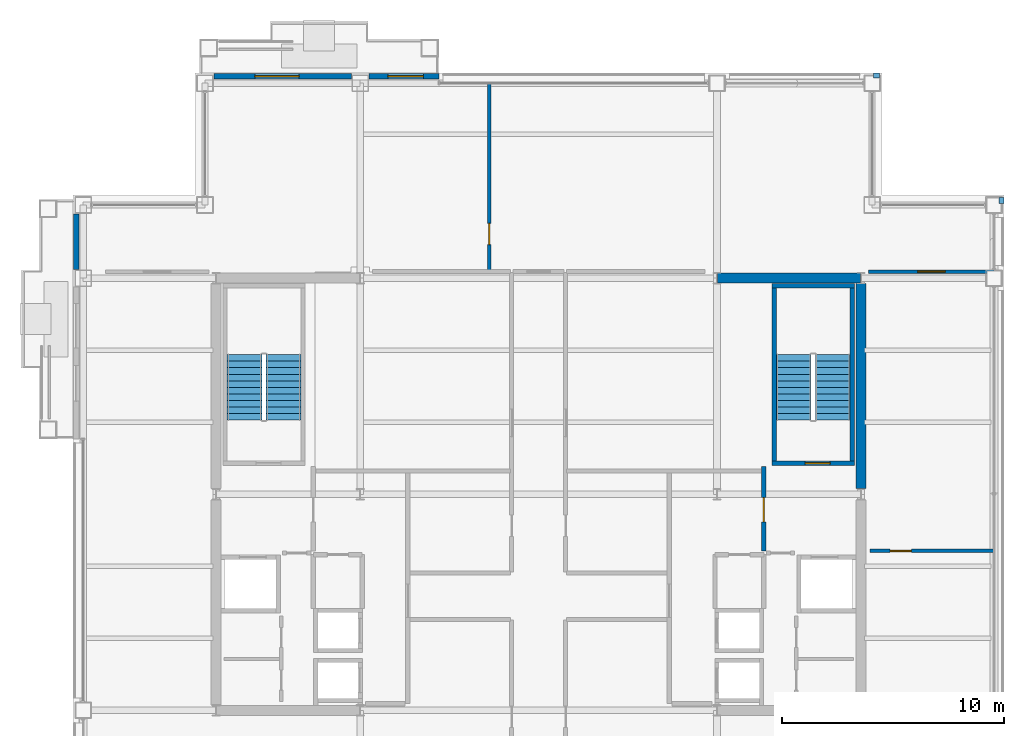
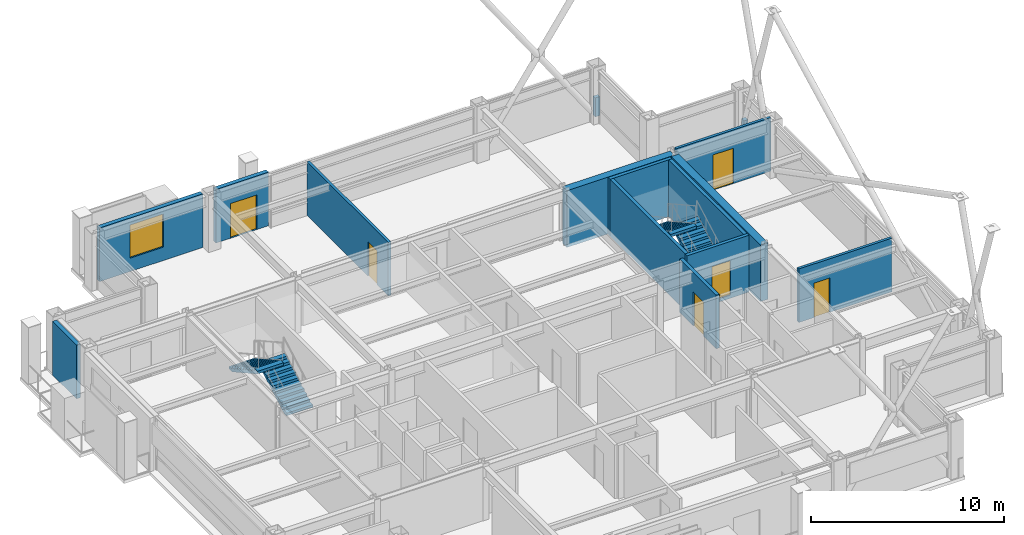
# One storey, part 29 of 32: 15 walls, 6 doors, 4 stair flights, 1 window, 7 openings, 2 elements without a shape of their own.
"""IFC4 building model written with IfcOpenShell, lengths in metres."""

from ifc_helpers import new_model, si_unit, direction, frame, frame_2d, origin, place, context, subcontext, project, spatial, polyline, rectangle, outline, extrude, material, layer, layer_set, type_object, element, fill, aggregate, save


model = new_model("IFC4")

# Units and contexts
model_context = context("Model", 3, precision=1e-05, world=origin(), true_north=direction((0.0, 1.0)))
body_context = subcontext(model_context, "Body", "Model", "MODEL_VIEW")
ifc_project = project(units=[si_unit("LENGTHUNIT", "METRE"), si_unit("AREAUNIT", "SQUARE_METRE"), si_unit("VOLUMEUNIT", "CUBIC_METRE"), si_unit("PLANEANGLEUNIT", "RADIAN"), si_unit("MASSUNIT", "GRAM", prefix="KILO")], contexts=[model_context])

# Site, building, storey
site_placement = place(None, origin())
site = spatial("IfcSite", under=ifc_project, at=site_placement, CompositionType="ELEMENT")
building_placement = place(site_placement, origin())
building = spatial("IfcBuilding", under=site, at=building_placement, Name="Brelmoor Portico Tower", CompositionType="ELEMENT")
storey_placement = place(building_placement, frame((0.0, 0.0, 162.300048828125)))
storey = spatial("IfcBuildingStorey", under=building, at=storey_placement, Name="L42", CompositionType="ELEMENT", Elevation=162.300048828125)

# Walls
ifc_material_1 = material(Name="Concrete C50", Category="concrete")
ifc_layer_1 = layer(ifc_material_1, 0.449951171875)
ifc_layer_set_1 = layer_set([ifc_layer_1], Name="Concrete C50")
wall_type_1 = type_object("IfcWallType", Name="WL-CORE-450", PredefinedType="SHEAR", material=ifc_layer_set_1)
wall_1_placement = place(storey_placement, frame((8.070068359375, 9.75, -0.199951171875), z_axis=(0.0, 0.0, 1.0), x_axis=(1.0, 0.0, 0.0)))
element("IfcWall", 1, at=wall_1_placement, inside=storey, type_object=wall_type_1, Name="L42 EC North Shear Wall", PredefinedType="SHEAR", context=body_context, shape_type="SweptSolid", body=[
    extrude(rectangle(XDim=6.4599609375, YDim=0.449951171875, at=frame_2d((3.22998046875, 0.0))), origin(), (0.0, 0.0, 1.0), 3.599853515625),
])
wall_2_placement = place(storey_placement, frame((14.550048828125, 0.25, -0.199951171875), z_axis=(0.0, 0.0, 1.0), x_axis=(0.0, 1.0, 0.0)))
element("IfcWall", 2, at=wall_2_placement, inside=storey, type_object=wall_type_1, Name="L42 EC Outer North Shear Wall", PredefinedType="SHEAR", context=body_context, shape_type="SweptSolid", body=[
    extrude(rectangle(XDim=9.25, YDim=0.449951171875, at=frame_2d((4.625, 0.0))), origin(), (0.0, 0.0, 1.0), 3.599853515625),
])

# Wall, opening, window
ifc_material_2 = material(Name="Precast Concrete C40 Insulated Facade Wall", Category="concrete")
ifc_layer_2 = layer(ifc_material_2, 0.25)
ifc_layer_set_2 = layer_set([ifc_layer_2], Name="Precast Concrete C40 Insulated Facade Wall")
wall_type_2 = type_object("IfcWallType", Name="WL-EXT-250", PredefinedType="STANDARD", material=ifc_layer_set_2)
wall_3_placement = place(storey_placement, frame((-14.655029296875, 18.860107421875, 0.0), z_axis=(0.0, 0.0, 1.0), x_axis=(1.0, 0.0, 0.0)))
wall_3 = element("IfcWall", 3, at=wall_3_placement, inside=storey, type_object=wall_type_2, Name="L42 Loggia Threshold Wall N-1", PredefinedType="STANDARD", context=body_context, shape_type="SweptSolid", body=[
    extrude(rectangle(XDim=6.2099609375, YDim=0.25, at=frame_2d((3.10498046875, 0.0))), origin(), (0.0, 0.0, 1.0), 3.39990234375),
])
opening_1_placement = place(wall_3_placement, frame((1.85498046875, 0.0, 0.85009765625)))
opening_1 = element("IfcOpeningElement", 4, at=opening_1_placement, cuts=wall_3, Name="Opening W-03", PredefinedType="OPENING", context=body_context, shape_type="SweptSolid", body=[
    extrude(rectangle(XDim=2.0, YDim=2.10009765625, at=frame_2d((1.0, 1.050048828125))), frame((0.0, 0.135009765625, 0.0), z_axis=(0.0, -1.0, 0.0), x_axis=(1.0, 0.0, 0.0)), (0.0, 0.0, 1.0), 0.27001953125),
])
ifc_material_3 = material(Name="Thermally Broken Aluminium Low-E Window", Category="aluminium")
window_type = type_object("IfcWindowType", Name="WN-LOGGIA-2000x2100", PartitioningType="SINGLE_PANEL", PredefinedType="WINDOW", material=ifc_material_3)
window_placement = place(opening_1_placement, origin())
window = element("IfcWindow", 5, at=window_placement, inside=storey, type_object=window_type, Name="L42 Loggia Window N", OverallHeight=2.10009765625, OverallWidth=2.0, PartitioningType="SINGLE_PANEL", PredefinedType="WINDOW", context=body_context, shape_type="SweptSolid", body=[
    extrude(rectangle(XDim=2.0, YDim=2.10009765625, at=frame_2d((1.0, 1.050048828125))), frame((0.0, 0.030029296875, 0.0), z_axis=(0.0, -1.0, 0.0), x_axis=(1.0, 0.0, 0.0)), (0.0, 0.0, 1.0), 0.06005859375),
])
fill(opening_1, window)

# Wall, opening, door
wall_4_placement = place(storey_placement, frame((-7.655029296875, 18.860107421875, 0.0), z_axis=(0.0, 0.0, 1.0), x_axis=(1.0, 0.0, 0.0)))
wall_4 = element("IfcWall", 6, at=wall_4_placement, inside=storey, type_object=wall_type_2, Name="L42 Loggia Threshold Wall N-2", PredefinedType="STANDARD", context=body_context, shape_type="SweptSolid", body=[
    extrude(rectangle(XDim=3.155029296875, YDim=0.25, at=frame_2d((1.57763671875, 0.0))), origin(), (0.0, 0.0, 1.0), 3.39990234375),
])
opening_2_placement = place(wall_4_placement, frame((0.85498046875, 0.0, 0.0)))
opening_2 = element("IfcOpeningElement", 7, at=opening_2_placement, cuts=wall_4, Name="Opening D-TB1", PredefinedType="OPENING", context=body_context, shape_type="SweptSolid", body=[
    extrude(rectangle(XDim=1.60009765625, YDim=2.199951171875, at=frame_2d((0.800048828125, 1.10009765625))), frame((0.0, 0.135009765625, 0.0), z_axis=(0.0, -1.0, 0.0), x_axis=(1.0, 0.0, 0.0)), (0.0, 0.0, 1.0), 0.27001953125),
])
ifc_material_4 = material(Name="Double-Leaf Thermally Broken Terrace Door", Category="aluminium")
door_type_1 = type_object("IfcDoorType", Name="DR-BALCONY-1600", OperationType="NOTDEFINED", PredefinedType="DOOR", material=ifc_material_4)
door_1_placement = place(opening_2_placement, origin())
door_1 = element("IfcDoor", 8, at=door_1_placement, inside=storey, type_object=door_type_1, Name="D-1811 L42 Tree Balcony Double Door N", OperationType="DOUBLE_DOOR_SINGLE_SWING", OverallHeight=2.199951171875, OverallWidth=1.60009765625, PredefinedType="DOOR", context=body_context, shape_type="SweptSolid", body=[
    extrude(rectangle(XDim=1.60009765625, YDim=2.199951171875, at=frame_2d((0.800048828125, 1.10009765625))), frame((0.0, 0.02490234375, 0.0), z_axis=(0.0, -1.0, 0.0), x_axis=(1.0, 0.0, 0.0)), (0.0, 0.0, 1.0), 0.050048828125),
])
fill(opening_2, door_1)

# Walls
wall_5_placement = place(storey_placement, frame((-20.860107421875, 10.14501953125, 0.0), z_axis=(0.0, 0.0, 1.0), x_axis=(0.0, 1.0, 0.0)))
element("IfcWall", 9, at=wall_5_placement, inside=storey, type_object=wall_type_2, Name="L42 Loggia Threshold Wall W-2", PredefinedType="STANDARD", context=body_context, shape_type="SweptSolid", body=[
    extrude(rectangle(XDim=2.510009765625, YDim=0.25, at=frame_2d((1.2548828125, 0.0))), origin(), (0.0, 0.0, 1.0), 3.39990234375),
])
ifc_material_5 = material(Name="Concrete C40 Parapet Upstand", Category="concrete")
ifc_layer_3 = layer(ifc_material_5, 0.219970703125)
ifc_layer_set_3 = layer_set([ifc_layer_3], Name="Concrete C40 Parapet Upstand")
wall_type_3 = type_object("IfcWallType", Name="WL-PARAPET-220", PredefinedType="PARAPET", material=ifc_layer_set_3)
for number, where, z_axis, x_axis, name in (
    (10, (15.1201171875, 18.889892578125, 0.0), (0.0, 0.0, 1.0), (1.0, 0.0, 0.0), "L42 Chamfer Vertex Parapet Pier NE1"),
    (11, (20.889892578125, 13.1201171875, 0.0), (0.0, 0.0, 1.0), (0.0, 1.0, 0.0), "L42 Chamfer Vertex Parapet Pier NE2"),
):
    element("IfcWall", number, at=place(storey_placement, frame(where, z_axis=z_axis, x_axis=x_axis)), inside=storey, type_object=wall_type_3, Name=name, PredefinedType="PARAPET", context=body_context, shape_type="SweptSolid", body=[
        extrude(rectangle(XDim=0.269775390625, YDim=0.219970703125, at=frame_2d((0.134765625, 0.0))), origin(), (0.0, 0.0, 1.0), 1.199951171875),
    ])

# Wall, opening, door
ifc_material_6 = material(Name="Twin-Frame Acoustic Partition", Category="gypsum")
ifc_layer_4 = layer(ifc_material_6, 0.159912109375)
ifc_layer_set_4 = layer_set([ifc_layer_4], Name="Twin-Frame Acoustic Partition")
wall_type_4 = type_object("IfcWallType", Name="WL-PART-160", PredefinedType="PARTITIONING", material=ifc_layer_set_4)
wall_6_placement = place(storey_placement, frame((-2.2255859375, 10.110107421875, 0.0), z_axis=(0.0, 0.0, 1.0), x_axis=(0.0, 1.0, 0.0)))
wall_6 = element("IfcWall", 12, at=wall_6_placement, inside=storey, type_object=wall_type_4, Name="L42 North Suite Partition 1", PredefinedType="PARTITIONING", context=body_context, shape_type="SweptSolid", body=[
    extrude(rectangle(XDim=8.449951171875, YDim=0.159912109375, at=frame_2d((4.22509765625, 0.0))), origin(), (0.0, 0.0, 1.0), 3.39990234375),
])
opening_3_placement = place(wall_6_placement, frame((1.14990234375, 0.0, 0.0)))
opening_3 = element("IfcOpeningElement", 13, at=opening_3_placement, cuts=wall_6, Name="Opening D-IN2", PredefinedType="OPENING", context=body_context, shape_type="SweptSolid", body=[
    extrude(rectangle(XDim=0.9599609375, YDim=2.179931640625, at=frame_2d((0.47998046875, 1.08984375))), frame((0.0, 0.08984375, 0.0), z_axis=(0.0, -1.0, 0.0), x_axis=(1.0, 0.0, 0.0)), (0.0, 0.0, 1.0), 0.179931640625),
])
ifc_material_7 = material(Name="Lacquered Timber Suite Door", Category="wood")
door_type_2 = type_object("IfcDoorType", Name="DR-INT-950", OperationType="NOTDEFINED", PredefinedType="DOOR", material=ifc_material_7)
door_2_placement = place(opening_3_placement, origin())
door_2 = element("IfcDoor", 14, at=door_2_placement, inside=storey, type_object=door_type_2, Name="D-1800 L42 North Suite Connecting Door 1", OperationType="SINGLE_SWING_RIGHT", OverallHeight=2.179931640625, OverallWidth=0.9599609375, PredefinedType="DOOR", context=body_context, shape_type="SweptSolid", body=[
    extrude(rectangle(XDim=0.9599609375, YDim=2.179931640625, at=frame_2d((0.47998046875, 1.08984375))), frame((0.0, 0.02490234375, 0.0), z_axis=(0.0, -1.0, 0.0), x_axis=(1.0, 0.0, 0.0)), (0.0, 0.0, 1.0), 0.050048828125),
])
fill(opening_3, door_2)

wall_7_placement = place(storey_placement, frame((14.8798828125, 10.050048828125, 0.0), z_axis=(0.0, 0.0, 1.0), x_axis=(1.0, 0.0, 0.0)))
wall_7 = element("IfcWall", 15, at=wall_7_placement, inside=storey, type_object=wall_type_4, Name="L42 North Wing Suite Wall ER", PredefinedType="PARTITIONING", context=body_context, shape_type="SweptSolid", body=[
    extrude(rectangle(XDim=5.68017578125, YDim=0.159912109375, at=frame_2d((2.840087890625, 0.0))), origin(), (0.0, 0.0, 1.0), 3.39990234375),
])
opening_4_placement = place(wall_7_placement, frame((2.219970703125, 0.0, 0.0)))
opening_4 = element("IfcOpeningElement", 16, at=opening_4_placement, cuts=wall_7, Name="Opening D-SU1", PredefinedType="OPENING", context=body_context, shape_type="SweptSolid", body=[
    extrude(rectangle(XDim=1.239990234375, YDim=2.239990234375, at=frame_2d((0.6201171875, 1.1201171875))), frame((0.0, 0.08984375, 0.0), z_axis=(0.0, -1.0, 0.0), x_axis=(1.0, 0.0, 0.0)), (0.0, 0.0, 1.0), 0.179931640625),
])
ifc_material_8 = material(Name="Glazed Timber Executive Suite Door", Category="wood")
door_type_3 = type_object("IfcDoorType", Name="DR-SUITE-1200", OperationType="NOTDEFINED", PredefinedType="DOOR", material=ifc_material_8)
door_3_placement = place(opening_4_placement, origin())
door_3 = element("IfcDoor", 17, at=door_3_placement, inside=storey, type_object=door_type_3, Name="D-1801 L42 ER Wing Suite Connecting Door", OperationType="SINGLE_SWING_LEFT", OverallHeight=2.239990234375, OverallWidth=1.239990234375, PredefinedType="DOOR", context=body_context, shape_type="SweptSolid", body=[
    extrude(rectangle(XDim=1.239990234375, YDim=2.239990234375, at=frame_2d((0.6201171875, 1.1201171875))), frame((0.0, 0.02490234375, 0.0), z_axis=(0.0, -1.0, 0.0), x_axis=(1.0, 0.0, 0.0)), (0.0, 0.0, 1.0), 0.050048828125),
])
fill(opening_4, door_3)

wall_8_placement = place(storey_placement, frame((14.9599609375, -2.55810546875, 0.0), z_axis=(0.0, 0.0, 1.0), x_axis=(1.0, 0.0, 0.0)))
wall_8 = element("IfcWall", 18, at=wall_8_placement, inside=storey, type_object=wall_type_4, Name="L42 E Wing Partition 1", PredefinedType="PARTITIONING", context=body_context, shape_type="SweptSolid", body=[
    extrude(rectangle(XDim=5.60009765625, YDim=0.159912109375, at=frame_2d((2.800048828125, 0.0))), origin(), (0.0, 0.0, 1.0), 3.39990234375),
])
opening_5_placement = place(wall_8_placement, frame((0.89990234375, 0.0, 0.0)))
opening_5 = element("IfcOpeningElement", 19, at=opening_5_placement, cuts=wall_8, Name="Opening D-IN2", PredefinedType="OPENING", context=body_context, shape_type="SweptSolid", body=[
    extrude(rectangle(XDim=0.9599609375, YDim=2.179931640625, at=frame_2d((0.47998046875, 1.08984375))), frame((0.0, 0.08984375, 0.0), z_axis=(0.0, -1.0, 0.0), x_axis=(1.0, 0.0, 0.0)), (0.0, 0.0, 1.0), 0.179931640625),
])
door_4_placement = place(opening_5_placement, origin())
door_4 = element("IfcDoor", 20, at=door_4_placement, inside=storey, type_object=door_type_2, Name="D-1814 L42 E Wing Suite Connecting Door 1", OperationType="SINGLE_SWING_RIGHT", OverallHeight=2.179931640625, OverallWidth=0.9599609375, PredefinedType="DOOR", context=body_context, shape_type="SweptSolid", body=[
    extrude(rectangle(XDim=0.9599609375, YDim=2.179931640625, at=frame_2d((0.47998046875, 1.08984375))), frame((0.0, 0.02490234375, 0.0), z_axis=(0.0, -1.0, 0.0), x_axis=(1.0, 0.0, 0.0)), (0.0, 0.0, 1.0), 0.050048828125),
])
fill(opening_5, door_4)

ifc_material_9 = material(Name="Double-Stud Gypsum Fire Partition", Category="gypsum")
ifc_layer_5 = layer(ifc_material_9, 0.199951171875)
ifc_layer_set_5 = layer_set([ifc_layer_5], Name="Double-Stud Gypsum Fire Partition")
wall_type_5 = type_object("IfcWallType", Name="WL-PART-200", PredefinedType="PARTITIONING", material=ifc_layer_set_5)
wall_9_placement = place(storey_placement, frame((10.159912109375, -2.550048828125, 0.0), z_axis=(0.0, 0.0, 1.0), x_axis=(0.0, 1.0, 0.0)))
wall_9 = element("IfcWall", 21, at=wall_9_placement, inside=storey, type_object=wall_type_5, Name="L42 E Firefighting Lobby Wall", PredefinedType="PARTITIONING", context=body_context, shape_type="SweptSolid", body=[
    extrude(rectangle(XDim=3.800048828125, YDim=0.199951171875, at=frame_2d((1.89990234375, 0.0))), origin(), (0.0, 0.0, 1.0), 3.39990234375),
])
opening_6_placement = place(wall_9_placement, frame((1.300048828125, 0.0, 0.0)))
opening_6 = element("IfcOpeningElement", 22, at=opening_6_placement, cuts=wall_9, Name="Opening D-FR1", PredefinedType="OPENING", context=body_context, shape_type="SweptSolid", body=[
    extrude(rectangle(XDim=1.10009765625, YDim=2.14990234375, at=frame_2d((0.550048828125, 1.074951171875))), frame((0.0, 0.10986328125, 0.0), z_axis=(0.0, -1.0, 0.0), x_axis=(1.0, 0.0, 0.0)), (0.0, 0.0, 1.0), 0.219970703125),
])
ifc_material_10 = material(Name="Painted Galvanised Steel Fire Door", Category="steel")
door_type_4 = type_object("IfcDoorType", Name="DR-FIRE-1100", OperationType="NOTDEFINED", PredefinedType="DOOR", material=ifc_material_10)
door_5_placement = place(opening_6_placement, origin())
door_5 = element("IfcDoor", 23, at=door_5_placement, inside=storey, type_object=door_type_4, Name="D-1795 L42 E Firefighting Lobby Door", OperationType="SINGLE_SWING_LEFT", OverallHeight=2.14990234375, OverallWidth=1.10009765625, PredefinedType="DOOR", context=body_context, shape_type="SweptSolid", body=[
    extrude(rectangle(XDim=1.10009765625, YDim=2.14990234375, at=frame_2d((0.550048828125, 1.074951171875))), frame((0.0, 0.02490234375, 0.0), z_axis=(0.0, -1.0, 0.0), x_axis=(1.0, 0.0, 0.0)), (0.0, 0.0, 1.0), 0.050048828125),
])
fill(opening_6, door_5)

# Wall
ifc_material_11 = material(Name="Concrete C40", Category="concrete")
ifc_layer_6 = layer(ifc_material_11, 0.199951171875)
ifc_layer_set_6 = layer_set([ifc_layer_6], Name="Concrete C40")
wall_type_6 = type_object("IfcWallType", Name="WL-SHAFT-RC200", PredefinedType="SOLIDWALL", material=ifc_layer_set_6)
wall_10_placement = place(storey_placement, frame((14.14990234375, 1.5, -0.199951171875), z_axis=(0.0, 0.0, 1.0), x_axis=(0.0, 1.0, 0.0)))
element("IfcWall", 24, at=wall_10_placement, inside=storey, type_object=wall_type_6, Name="L42 ST-E Structural Stair Wall Outer", PredefinedType="SOLIDWALL", context=body_context, shape_type="SweptSolid", body=[
    extrude(rectangle(XDim=7.800048828125, YDim=0.199951171875, at=frame_2d((3.89990234375, 0.0))), origin(), (0.0, 0.0, 1.0), 3.599853515625),
])

# Wall, opening, door
wall_11_placement = place(storey_placement, frame((10.530029296875, 1.39990234375, -0.199951171875), z_axis=(0.0, 0.0, 1.0), x_axis=(1.0, 0.0, 0.0)))
wall_11 = element("IfcWall", 25, at=wall_11_placement, inside=storey, type_object=wall_type_6, Name="L42 ST-E Structural Stair Wall S", PredefinedType="SOLIDWALL", context=body_context, shape_type="SweptSolid", body=[
    extrude(rectangle(XDim=3.719970703125, YDim=0.199951171875, at=frame_2d((1.85986328125, 0.0))), origin(), (0.0, 0.0, 1.0), 3.599853515625),
])
opening_7_placement = place(wall_11_placement, frame((1.5, 0.0, 0.199951171875)))
opening_7 = element("IfcOpeningElement", 26, at=opening_7_placement, cuts=wall_11, Name="Opening D-ST1", PredefinedType="OPENING", context=body_context, shape_type="SweptSolid", body=[
    extrude(rectangle(XDim=1.1201171875, YDim=2.179931640625, at=frame_2d((0.56005859375, 1.08984375))), frame((0.0, 0.10986328125, 0.0), z_axis=(0.0, -1.0, 0.0), x_axis=(1.0, 0.0, 0.0)), (0.0, 0.0, 1.0), 0.219970703125),
])
door_type_5 = type_object("IfcDoorType", Name="DR-STAIR-1100", OperationType="NOTDEFINED", PredefinedType="DOOR", material=ifc_material_10)
door_6_placement = place(opening_7_placement, origin())
door_6 = element("IfcDoor", 27, at=door_6_placement, inside=storey, type_object=door_type_5, Name="D-1807 L42 ST-E Protected Exit Stair Door", OperationType="SINGLE_SWING_RIGHT", OverallHeight=2.179931640625, OverallWidth=1.1201171875, PredefinedType="DOOR", context=body_context, shape_type="SweptSolid", body=[
    extrude(rectangle(XDim=1.1201171875, YDim=2.179931640625, at=frame_2d((0.56005859375, 1.08984375))), frame((0.0, 0.02490234375, 0.0), z_axis=(0.0, -1.0, 0.0), x_axis=(1.0, 0.0, 0.0)), (0.0, 0.0, 1.0), 0.050048828125),
])
fill(opening_7, door_6)

# Walls
wall_12_placement = place(storey_placement, frame((10.530029296875, 9.39990234375, -0.199951171875), z_axis=(0.0, 0.0, 1.0), x_axis=(1.0, 0.0, 0.0)))
element("IfcWall", 28, at=wall_12_placement, inside=storey, type_object=wall_type_6, Name="L42 ST-E Structural Stair Wall N", PredefinedType="SOLIDWALL", context=body_context, shape_type="SweptSolid", body=[
    extrude(rectangle(XDim=3.719970703125, YDim=0.199951171875, at=frame_2d((1.85986328125, 0.0))), origin(), (0.0, 0.0, 1.0), 3.599853515625),
])
wall_13_placement = place(storey_placement, frame((10.6298828125, 1.5, -0.199951171875), z_axis=(0.0, 0.0, 1.0), x_axis=(0.0, 1.0, 0.0)))
element("IfcWall", 29, at=wall_13_placement, inside=storey, type_object=wall_type_6, Name="L42 ST-E Structural Stair Wall Inner", PredefinedType="SOLIDWALL", context=body_context, shape_type="SweptSolid", body=[
    extrude(rectangle(XDim=7.800048828125, YDim=0.199951171875, at=frame_2d((3.89990234375, 0.0))), origin(), (0.0, 0.0, 1.0), 3.599853515625),
])

# Stair, stair flights
stair_type_1 = type_object("IfcStairType", Name="ST-CORE-W", PredefinedType="HALF_TURN_STAIR", material=ifc_material_11)
stair_1_placement = place(storey_placement, origin())
stair_1 = element("IfcStair", 30, at=stair_1_placement, inside=storey, type_object=stair_type_1, Name="L42 Protected Core Exit Stair ST-W", PredefinedType="HALF_TURN_STAIR")
stair_flight_type = type_object("IfcStairFlightType", Name="SF-CORE-1850", PredefinedType="STRAIGHT", material=ifc_material_11)
stair_flight_1_placement = place(storey_placement, frame((-11.510009765625, 3.35009765625, 0.0), z_axis=(0.0, 0.0, 1.0), x_axis=(0.0, 1.0, 0.0)))
stair_flight_1 = element("IfcStairFlight", 31, at=stair_flight_1_placement, type_object=stair_flight_type, Name="ST-W flight 1", NumberOfRisers=11, NumberOfTreads=10, PredefinedType="STRAIGHT", RiserHeight=0.163636364, TreadLength=0.295, context=body_context, shape_type="SweptSolid", body=[
    extrude(outline(polyline([(0.0, 0.0), (0.0, 0.16357421875), (0.294921875, 0.16357421875), (0.294921875, 0.327392578125), (0.590087890625, 0.327392578125), (0.590087890625, 0.490966796875), (0.885009765625, 0.490966796875), (0.885009765625, 0.654541015625), (1.179931640625, 0.654541015625), (1.179931640625, 0.818115234375), (1.47509765625, 0.818115234375), (1.47509765625, 0.98193359375), (1.77001953125, 0.98193359375), (1.77001953125, 1.1455078125), (2.06494140625, 1.1455078125), (2.06494140625, 1.30908203125), (2.360107421875, 1.30908203125), (2.360107421875, 1.47265625), (2.655029296875, 1.47265625), (2.655029296875, 1.636474609375), (2.949951171875, 1.636474609375), (2.949951171875, 1.800048828125), (2.949951171875, 1.46484375), (0.30908203125, 0.0), (0.0, 0.0)])), frame((0.0, 0.780029296875, 0.0), z_axis=(0.0, -1.0, 0.0), x_axis=(1.0, 0.0, 0.0)), (0.0, 0.0, 1.0), 1.56005859375),
])
stair_flight_2_placement = place(storey_placement, frame((-13.27001953125, 6.300048828125, 1.800048828125), z_axis=(0.0, 0.0, 1.0), x_axis=(0.0, -1.0, 0.0)))
stair_flight_2 = element("IfcStairFlight", 32, at=stair_flight_2_placement, type_object=stair_flight_type, Name="ST-W flight 2", NumberOfRisers=11, NumberOfTreads=10, PredefinedType="STRAIGHT", RiserHeight=0.163636364, TreadLength=0.295, context=body_context, shape_type="SweptSolid", body=[
    extrude(outline(polyline([(0.0, 0.0), (0.0, 0.16357421875), (0.294921875, 0.16357421875), (0.294921875, 0.327392578125), (0.590087890625, 0.327392578125), (0.590087890625, 0.490966796875), (0.885009765625, 0.490966796875), (0.885009765625, 0.654541015625), (1.179931640625, 0.654541015625), (1.179931640625, 0.818115234375), (1.47509765625, 0.818115234375), (1.47509765625, 0.98193359375), (1.77001953125, 0.98193359375), (1.77001953125, 1.1455078125), (2.06494140625, 1.1455078125), (2.06494140625, 1.30908203125), (2.360107421875, 1.30908203125), (2.360107421875, 1.47265625), (2.655029296875, 1.47265625), (2.655029296875, 1.636474609375), (2.949951171875, 1.636474609375), (2.949951171875, 1.800048828125), (2.949951171875, 1.46484375), (0.30908203125, 0.0), (0.0, 0.0)])), frame((0.0, 0.780029296875, 0.0), z_axis=(0.0, -1.0, 0.0), x_axis=(1.0, 0.0, 0.0)), (0.0, 0.0, 1.0), 1.56005859375),
])
aggregate(stair_1, [stair_flight_1, stair_flight_2])

stair_type_2 = type_object("IfcStairType", Name="ST-CORE-E", PredefinedType="HALF_TURN_STAIR", material=ifc_material_11)
stair_2_placement = place(storey_placement, origin())
stair_2 = element("IfcStair", 33, at=stair_2_placement, inside=storey, type_object=stair_type_2, Name="L42 Protected Core Exit Stair ST-E", PredefinedType="HALF_TURN_STAIR")
stair_flight_3_placement = place(storey_placement, frame((13.27001953125, 3.35009765625, 0.0), z_axis=(0.0, 0.0, 1.0), x_axis=(0.0, 1.0, 0.0)))
stair_flight_3 = element("IfcStairFlight", 34, at=stair_flight_3_placement, type_object=stair_flight_type, Name="ST-E flight 1", NumberOfRisers=11, NumberOfTreads=10, PredefinedType="STRAIGHT", RiserHeight=0.163636364, TreadLength=0.295, context=body_context, shape_type="SweptSolid", body=[
    extrude(outline(polyline([(0.0, 0.0), (0.0, 0.16357421875), (0.294921875, 0.16357421875), (0.294921875, 0.327392578125), (0.590087890625, 0.327392578125), (0.590087890625, 0.490966796875), (0.885009765625, 0.490966796875), (0.885009765625, 0.654541015625), (1.179931640625, 0.654541015625), (1.179931640625, 0.818115234375), (1.47509765625, 0.818115234375), (1.47509765625, 0.98193359375), (1.77001953125, 0.98193359375), (1.77001953125, 1.1455078125), (2.06494140625, 1.1455078125), (2.06494140625, 1.30908203125), (2.360107421875, 1.30908203125), (2.360107421875, 1.47265625), (2.655029296875, 1.47265625), (2.655029296875, 1.636474609375), (2.949951171875, 1.636474609375), (2.949951171875, 1.800048828125), (2.949951171875, 1.46484375), (0.30908203125, 0.0), (0.0, 0.0)])), frame((0.0, 0.780029296875, 0.0), z_axis=(0.0, -1.0, 0.0), x_axis=(1.0, 0.0, 0.0)), (0.0, 0.0, 1.0), 1.56005859375),
])
stair_flight_4_placement = place(storey_placement, frame((11.510009765625, 6.300048828125, 1.800048828125), z_axis=(0.0, 0.0, 1.0), x_axis=(0.0, -1.0, 0.0)))
stair_flight_4 = element("IfcStairFlight", 35, at=stair_flight_4_placement, type_object=stair_flight_type, Name="ST-E flight 2", NumberOfRisers=11, NumberOfTreads=10, PredefinedType="STRAIGHT", RiserHeight=0.163636364, TreadLength=0.295, context=body_context, shape_type="SweptSolid", body=[
    extrude(outline(polyline([(0.0, 0.0), (0.0, 0.16357421875), (0.294921875, 0.16357421875), (0.294921875, 0.327392578125), (0.590087890625, 0.327392578125), (0.590087890625, 0.490966796875), (0.885009765625, 0.490966796875), (0.885009765625, 0.654541015625), (1.179931640625, 0.654541015625), (1.179931640625, 0.818115234375), (1.47509765625, 0.818115234375), (1.47509765625, 0.98193359375), (1.77001953125, 0.98193359375), (1.77001953125, 1.1455078125), (2.06494140625, 1.1455078125), (2.06494140625, 1.30908203125), (2.360107421875, 1.30908203125), (2.360107421875, 1.47265625), (2.655029296875, 1.47265625), (2.655029296875, 1.636474609375), (2.949951171875, 1.636474609375), (2.949951171875, 1.800048828125), (2.949951171875, 1.46484375), (0.30908203125, 0.0), (0.0, 0.0)])), frame((0.0, 0.780029296875, 0.0), z_axis=(0.0, -1.0, 0.0), x_axis=(1.0, 0.0, 0.0)), (0.0, 0.0, 1.0), 1.56005859375),
])
aggregate(stair_2, [stair_flight_3, stair_flight_4])

save(model, "model.ifc")
